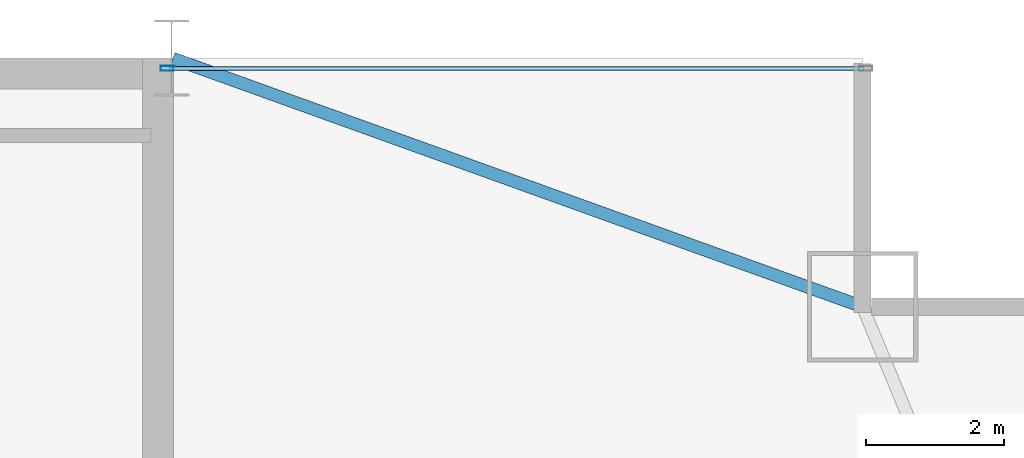
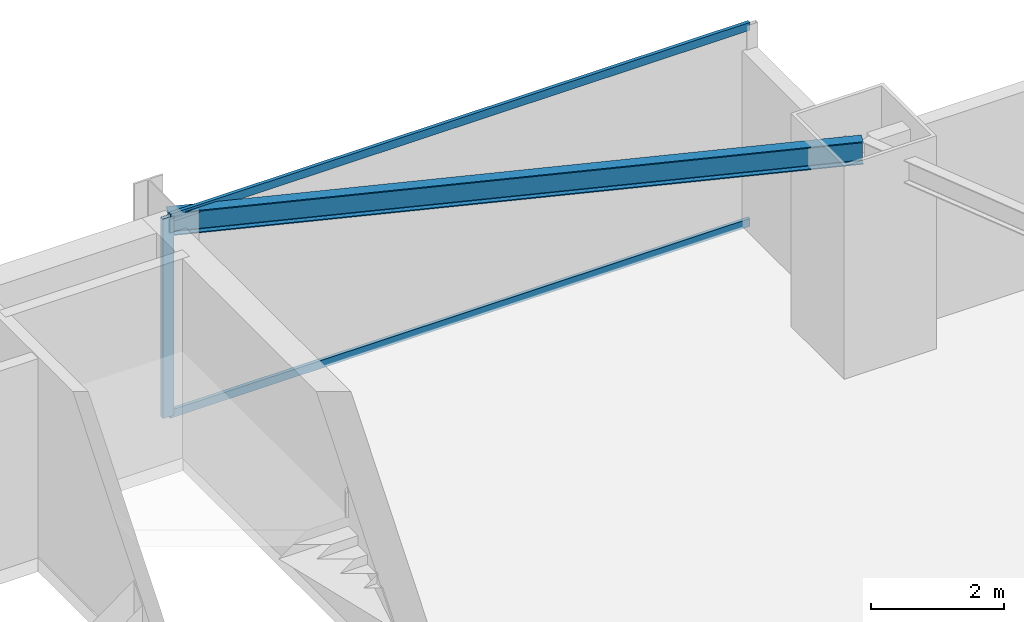
# One storey, part 22 of 34: 3 members, 1 beam, 1 element without a shape of its own.
"""IFC4 building model written with IfcOpenShell, lengths in metres."""

from ifc_helpers import new_model, si_unit, direction, frame, origin, origin_2d, place, context, subcontext, project, spatial, hollow_rectangle, i_section, extrude, source, transform, mapped, material, layer, layer_set, material_profile, profile_set, type_object, type_shapes, element, aggregate, save


model = new_model("IFC4")

# Units and contexts
model_context = context("Model", 3, precision=1e-05, world=origin(), true_north=direction((0.0, 1.0)))
body_context = subcontext(model_context, "Body", "Model", "MODEL_VIEW")
ifc_project = project(units=[si_unit("LENGTHUNIT", "METRE"), si_unit("AREAUNIT", "SQUARE_METRE"), si_unit("VOLUMEUNIT", "CUBIC_METRE"), si_unit("PLANEANGLEUNIT", "RADIAN"), si_unit("MASSUNIT", "GRAM", prefix="KILO")], contexts=[model_context])

# Site, building, storey
site_placement = place(None, origin())
site = spatial("IfcSite", under=ifc_project, at=site_placement, CompositionType="ELEMENT")
building_placement = place(site_placement, origin())
building = spatial("IfcBuilding", under=site, at=building_placement, Name="Varnel Quay Broadcast Tower", CompositionType="ELEMENT")
storey_placement = place(building_placement, frame((0.0, 0.0, 47.10009765625)))
storey = spatial("IfcBuildingStorey", under=building, at=storey_placement, Name="L10", CompositionType="ELEMENT", Elevation=47.10009765625)

# Beam
ifc_material_1 = material(Name="Structural Steel CSA G40.21 350W", Category="steel")
ifc_material_profile_1 = material_profile(ifc_material_1, i_section(OverallWidth=0.180908203125, OverallDepth=0.4169921875, WebThickness=0.010986328125, FlangeThickness=0.018310546875, FilletRadius=0.011962890625, at=origin_2d()), Name="W410X85")
ifc_profile_set_1 = profile_set([ifc_material_profile_1], Name="Structural Steel CSA G40.21 350W")
beam_type = type_object("IfcBeamType", Name="Beam_W410X85", PredefinedType="SPANDREL", material=ifc_profile_set_1)
shared_shape_1 = source(origin(), body_context, "Body", "SweptSolid", [
    extrude(i_section(OverallWidth=0.180908203125, OverallDepth=0.4169921875, WebThickness=0.010986328125, FlangeThickness=0.018310546875, FilletRadius=0.011962890625, at=origin_2d()), origin(), (0.0, 0.0, 1.0), 10.58837890625),
])
type_shapes(beam_type, [shared_shape_1])
beam_placement = place(storey_placement, frame((52.418701171875, 46.793212890625, 3.44140625), z_axis=(0.940888587605, -0.338716202321, 0.0), x_axis=(0.338716202321, 0.940888587605, 0.0)))
element("IfcBeam", 1, at=beam_placement, inside=storey, type_object=beam_type, Name="L10 NE Tie Spandrel", PredefinedType="SPANDREL", context=body_context, shape_type="MappedRepresentation", body=[
    mapped(shared_shape_1, transform((0.0, 0.0, 0.0), x_axis=(1.0, 0.0, 0.0), y_axis=(0.0, 1.0, 0.0), z_axis=(0.0, 0.0, 1.0), scale=1.0)),
])

# Curtain wall, members
ifc_material_2 = material(Name="Anodised Bronze Aluminium 6063-T6", Category="aluminium")
ifc_layer = layer(ifc_material_2, 0.18994140625, Name="Anodised Bronze Aluminium 6063-T6")
ifc_layer_set = layer_set([ifc_layer], Name="Anodised Bronze Aluminium 6063-T6")
curtain_wall_type = type_object("IfcCurtainWallType", Name="CW_LowerTower", PredefinedType="NOTDEFINED", material=ifc_layer_set)
curtain_wall_placement = place(storey_placement, origin())
curtain_wall = element("IfcCurtainWall", 2, at=curtain_wall_placement, inside=storey, type_object=curtain_wall_type, Name="L10 NE Wing Curtain Wall", PredefinedType="NOTDEFINED")
ifc_material_profile_2 = material_profile(ifc_material_2, hollow_rectangle(XDim=0.070068359375, YDim=0.18994140625, WallThickness=0.00390625, at=origin_2d()), Name="ALU70X190X4")
ifc_profile_set_2 = profile_set([ifc_material_profile_2], Name="Anodised Bronze Aluminium 6063-T6")
member_type_1 = type_object("IfcMemberType", Name="Mull_CWS-02", PredefinedType="MULLION", material=ifc_profile_set_2)
shared_shape_2 = source(origin(), body_context, "Body", "SweptSolid", [
    extrude(hollow_rectangle(XDim=0.070068359375, YDim=0.18994140625, WallThickness=0.00390625, at=origin_2d()), origin(), (0.0, 0.0, 1.0), 3.64990234375),
])
type_shapes(member_type_1, [shared_shape_2])
member_1_placement = place(storey_placement, frame((52.3349609375, 46.64990234375, 0.0), z_axis=(0.0, 0.0, 1.0), x_axis=(0.0, 1.0, 0.0)))
member_1 = element("IfcMember", 3, at=member_1_placement, type_object=member_type_1, Name="CWS-02 mullion 1", PredefinedType="MULLION", context=body_context, shape_type="MappedRepresentation", body=[
    mapped(shared_shape_2, transform((0.0, 0.0, 0.0), x_axis=(1.0, 0.0, 0.0), y_axis=(0.0, 1.0, 0.0), z_axis=(0.0, 0.0, 1.0), scale=1.0)),
])
ifc_material_profile_3 = material_profile(ifc_material_2, hollow_rectangle(XDim=0.06005859375, YDim=0.14501953125, WallThickness=0.00341796875, at=origin_2d()), Name="ALU60X145X3.5")
ifc_profile_set_3 = profile_set([ifc_material_profile_3], Name="Anodised Bronze Aluminium 6063-T6")
member_type_2 = type_object("IfcMemberType", Name="Tran_CWS-02", PredefinedType="USERDEFINED", material=ifc_profile_set_3)
shared_shape_3 = source(origin(), body_context, "Body", "SweptSolid", [
    extrude(hollow_rectangle(XDim=0.06005859375, YDim=0.14501953125, WallThickness=0.00341796875, at=origin_2d()), origin(), (0.0, 0.0, 1.0), 10.039794921875),
])
type_shapes(member_type_2, [shared_shape_3])
member_2_placement = place(storey_placement, frame((52.3701171875, 46.64990234375, 0.02978515625), z_axis=(1.0, 0.0, 0.0), x_axis=(0.0, 1.0, 0.0)))
member_2 = element("IfcMember", 4, at=member_2_placement, type_object=member_type_2, Name="CWS-02 transom 1.1", ObjectType="TRANSOM", PredefinedType="USERDEFINED", context=body_context, shape_type="MappedRepresentation", body=[
    mapped(shared_shape_3, transform((0.0, 0.0, 0.0), x_axis=(1.0, 0.0, 0.0), y_axis=(0.0, 1.0, 0.0), z_axis=(0.0, 0.0, 1.0), scale=1.0)),
])
member_3_placement = place(storey_placement, frame((52.3701171875, 46.64990234375, 3.619873046875), z_axis=(1.0, 0.0, 0.0), x_axis=(0.0, 1.0, 0.0)))
member_3 = element("IfcMember", 5, at=member_3_placement, type_object=member_type_2, Name="CWS-02 transom 1.2", ObjectType="TRANSOM", PredefinedType="USERDEFINED", context=body_context, shape_type="MappedRepresentation", body=[
    mapped(shared_shape_3, transform((0.0, 0.0, 0.0), x_axis=(1.0, 0.0, 0.0), y_axis=(0.0, 1.0, 0.0), z_axis=(0.0, 0.0, 1.0), scale=1.0)),
])
aggregate(curtain_wall, [member_1, member_2, member_3])

save(model, "model.ifc")
